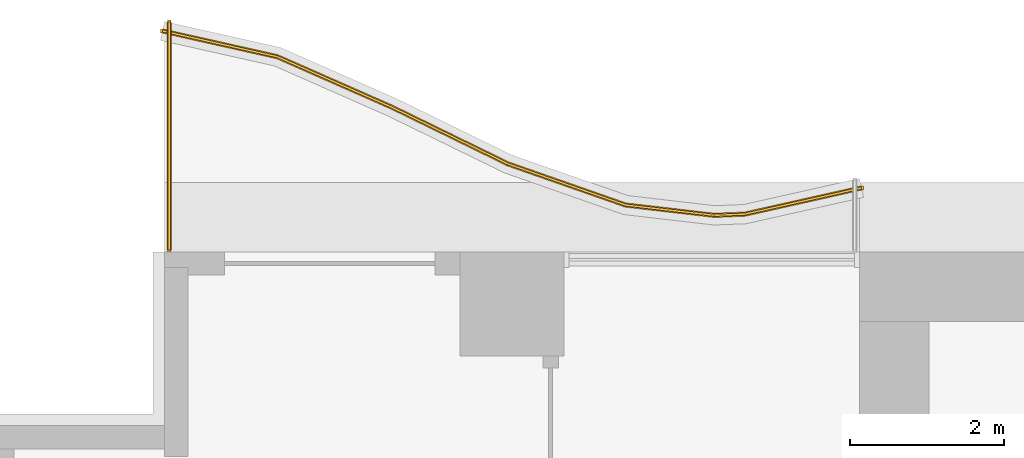
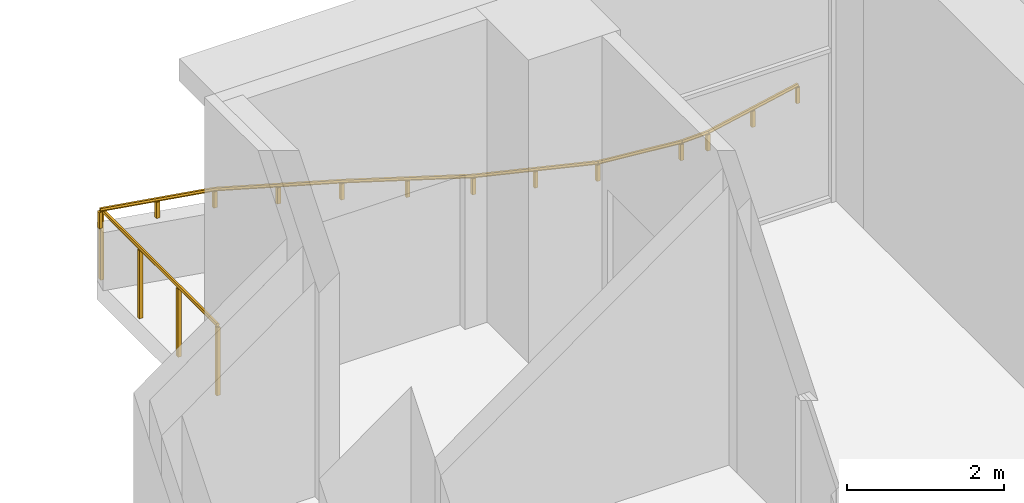
# One storey, part 16 of 18: 2 railings.
"""IFC4 building model written with IfcOpenShell, lengths in metres."""

from ifc_helpers import new_model, si_unit, direction, frame, origin, origin_2d, place, context, subcontext, project, spatial, polyline, rectangle, outline, extrude, material, type_object, element, save


model = new_model("IFC4")

# Units and contexts
model_context = context("Model", 3, precision=1e-05, world=origin(), true_north=direction((0.0, 1.0)))
body_context = subcontext(model_context, "Body", "Model", "MODEL_VIEW")
ifc_project = project(units=[si_unit("LENGTHUNIT", "METRE"), si_unit("AREAUNIT", "SQUARE_METRE"), si_unit("VOLUMEUNIT", "CUBIC_METRE"), si_unit("PLANEANGLEUNIT", "RADIAN"), si_unit("MASSUNIT", "GRAM", prefix="KILO")], contexts=[model_context])

# Site, building, storey
site_placement = place(None, origin())
site = spatial("IfcSite", under=ifc_project, at=site_placement, CompositionType="ELEMENT")
building_placement = place(site_placement, origin())
building = spatial("IfcBuilding", under=site, at=building_placement, Name="Orbiselva Terraces", CompositionType="ELEMENT")
storey_placement = place(building_placement, frame((0.0, 0.0, 64.4)))
storey = spatial("IfcBuildingStorey", under=building, at=storey_placement, Name="L16", CompositionType="ELEMENT", Elevation=64.4)

# Railings
ifc_material_1 = material(Name="Bonded two-ply safety glass balustrade, stainless steel posts", Category="steel")
railing_type_1 = type_object("IfcRailingType", Name="ENV-BALUSTRADE-1200", PredefinedType="BALUSTRADE", material=ifc_material_1)
railing_1_placement = place(storey_placement, frame((-13.472623, 23.329507, 0.9)))
element("IfcRailing", 1, at=railing_1_placement, inside=storey, type_object=railing_type_1, Name="Balcony balustrade L16 NW", PredefinedType="BALUSTRADE", context=body_context, shape_type="SweptSolid", body=[
    extrude(outline(polyline([(0.028868, 0.0), (0.014434, 0.025), (-0.014434, 0.025), (-0.028868, 0.0), (-0.014434, -0.025), (0.014434, -0.025), (0.028868, 0.0)])), frame((0.0, 0.0, 0.275), z_axis=(-0.97572138316, -0.219015484484, 0.0), x_axis=(0.219015484484, -0.97572138316, 0.0)), (0.0, 0.0, 1.0), 1.548694),
    extrude(outline(polyline([(0.028868, 0.0), (0.014434, 0.025), (-0.014434, 0.025), (-0.028868, 0.0), (-0.014434, -0.025), (0.014434, -0.025), (0.028868, 0.0)])), frame((-1.511094, -0.339188, 0.275), z_axis=(-0.999224734286, -0.03936915532, 0.0), x_axis=(0.03936915532, -0.999224734286, 0.0)), (0.0, 0.0, 1.0), 0.396376),
    extrude(outline(polyline([(0.028868, 0.0), (0.014434, 0.025), (-0.014434, 0.025), (-0.028868, 0.0), (-0.014434, -0.025), (0.014434, -0.025), (0.028868, 0.0)])), frame((-1.907163, -0.354793, 0.275), z_axis=(-0.993309551734, 0.115482182324, 0.0), x_axis=(-0.115482182324, -0.993309551734, 0.0)), (0.0, 0.0, 1.0), 1.156135),
    extrude(outline(polyline([(0.028868, 0.0), (0.014434, 0.025), (-0.014434, 0.025), (-0.028868, 0.0), (-0.014434, -0.025), (0.014434, -0.025), (0.028868, 0.0)])), frame((-3.055563, -0.22128, 0.275), z_axis=(-0.943972332783, 0.330024597479, 0.0), x_axis=(-0.330024597479, -0.943972332783, 0.0)), (0.0, 0.0, 1.0), 1.610253),
    extrude(outline(polyline([(0.028868, 0.0), (0.014434, 0.025), (-0.014434, 0.025), (-0.028868, 0.0), (-0.014434, -0.025), (0.014434, -0.025), (0.028868, 0.0)])), frame((-4.575597, 0.310143, 0.275), z_axis=(-0.898578870221, 0.438812048596, 0.0), x_axis=(-0.438812048596, -0.898578870221, 0.0)), (0.0, 0.0, 1.0), 1.674225),
    extrude(outline(polyline([(0.028868, 0.0), (0.014434, 0.025), (-0.014434, 0.025), (-0.028868, 0.0), (-0.014434, -0.025), (0.014434, -0.025), (0.028868, 0.0)])), frame((-6.08002, 1.044813, 0.275), z_axis=(-0.915133363686, 0.403151245402, 0.0), x_axis=(-0.403151245402, -0.915133363686, 0.0)), (0.0, 0.0, 1.0), 1.624475),
    extrude(outline(polyline([(0.028868, 0.0), (0.014434, 0.025), (-0.014434, 0.025), (-0.028868, 0.0), (-0.014434, -0.025), (0.014434, -0.025), (0.028868, 0.0)])), frame((-7.566631, 1.699722, 0.275), z_axis=(-0.975721356559, 0.219015602994, 0.0), x_axis=(-0.219015602994, -0.975721356559, 0.0)), (0.0, 0.0, 1.0), 1.525152),
    extrude(rectangle(XDim=0.05, YDim=0.05, at=origin_2d()), origin(), (0.0, 0.0, 1.0), 0.25),
    extrude(rectangle(XDim=0.05, YDim=0.05, at=origin_2d()), frame((-0.755547, -0.169594, 0.0)), (0.0, 0.0, 1.0), 0.25),
    extrude(rectangle(XDim=0.05, YDim=0.05, at=origin_2d()), frame((-1.511094, -0.339188, 0.0)), (0.0, 0.0, 1.0), 0.25),
    extrude(rectangle(XDim=0.05, YDim=0.05, at=origin_2d()), frame((-1.907163, -0.354793, 0.0)), (0.0, 0.0, 1.0), 0.25),
    extrude(rectangle(XDim=0.05, YDim=0.05, at=origin_2d()), frame((-3.055563, -0.22128, 0.0)), (0.0, 0.0, 1.0), 0.25),
    extrude(rectangle(XDim=0.05, YDim=0.05, at=origin_2d()), frame((-3.81558, 0.044431, 0.0)), (0.0, 0.0, 1.0), 0.25),
    extrude(rectangle(XDim=0.05, YDim=0.05, at=origin_2d()), frame((-4.575597, 0.310143, 0.0)), (0.0, 0.0, 1.0), 0.25),
    extrude(rectangle(XDim=0.05, YDim=0.05, at=origin_2d()), frame((-5.327808, 0.677478, 0.0)), (0.0, 0.0, 1.0), 0.25),
    extrude(rectangle(XDim=0.05, YDim=0.05, at=origin_2d()), frame((-6.08002, 1.044813, 0.0)), (0.0, 0.0, 1.0), 0.25),
    extrude(rectangle(XDim=0.05, YDim=0.05, at=origin_2d()), frame((-6.823325, 1.372268, 0.0)), (0.0, 0.0, 1.0), 0.25),
    extrude(rectangle(XDim=0.05, YDim=0.05, at=origin_2d()), frame((-7.566631, 1.699722, 0.0)), (0.0, 0.0, 1.0), 0.25),
    extrude(rectangle(XDim=0.05, YDim=0.05, at=origin_2d()), frame((-8.310692, 1.866738, 0.0)), (0.0, 0.0, 1.0), 0.25),
    extrude(rectangle(XDim=0.05, YDim=0.05, at=origin_2d()), frame((-9.054754, 2.033754, 0.0)), (0.0, 0.0, 1.0), 0.25),
])
ifc_material_2 = material(Name="Stainless steel rail and posts", Category="steel")
railing_type_2 = type_object("IfcRailingType", Name="ENV-GUARD-1105", PredefinedType="BALUSTRADE", material=ifc_material_2)
railing_2_placement = place(storey_placement, frame((-22.44, 25.480134, 0.0)))
element("IfcRailing", 2, at=railing_2_placement, inside=storey, type_object=railing_type_2, Name="Balcony end guard L16 NW", PredefinedType="BALUSTRADE", context=body_context, shape_type="SweptSolid", body=[
    extrude(outline(polyline([(0.028868, 0.0), (0.014434, 0.025), (-0.014434, 0.025), (-0.028868, 0.0), (-0.014434, -0.025), (0.014434, -0.025), (0.028868, 0.0)])), frame((0.0, 0.0, 1.08), z_axis=(0.0, -1.0, 0.0), x_axis=(1.0, 0.0, 0.0)), (0.0, 0.0, 1.0), 2.955134),
    extrude(rectangle(XDim=0.05, YDim=0.05, at=origin_2d()), origin(), (0.0, 0.0, 1.0), 1.055),
    extrude(rectangle(XDim=0.05, YDim=0.05, at=origin_2d()), frame((0.0, -0.985045, 0.0)), (0.0, 0.0, 1.0), 1.055),
    extrude(rectangle(XDim=0.05, YDim=0.05, at=origin_2d()), frame((0.0, -1.970089, 0.0)), (0.0, 0.0, 1.0), 1.055),
    extrude(rectangle(XDim=0.05, YDim=0.05, at=origin_2d()), frame((0.0, -2.955134, 0.0)), (0.0, 0.0, 1.0), 1.055),
])

save(model, "model.ifc")
